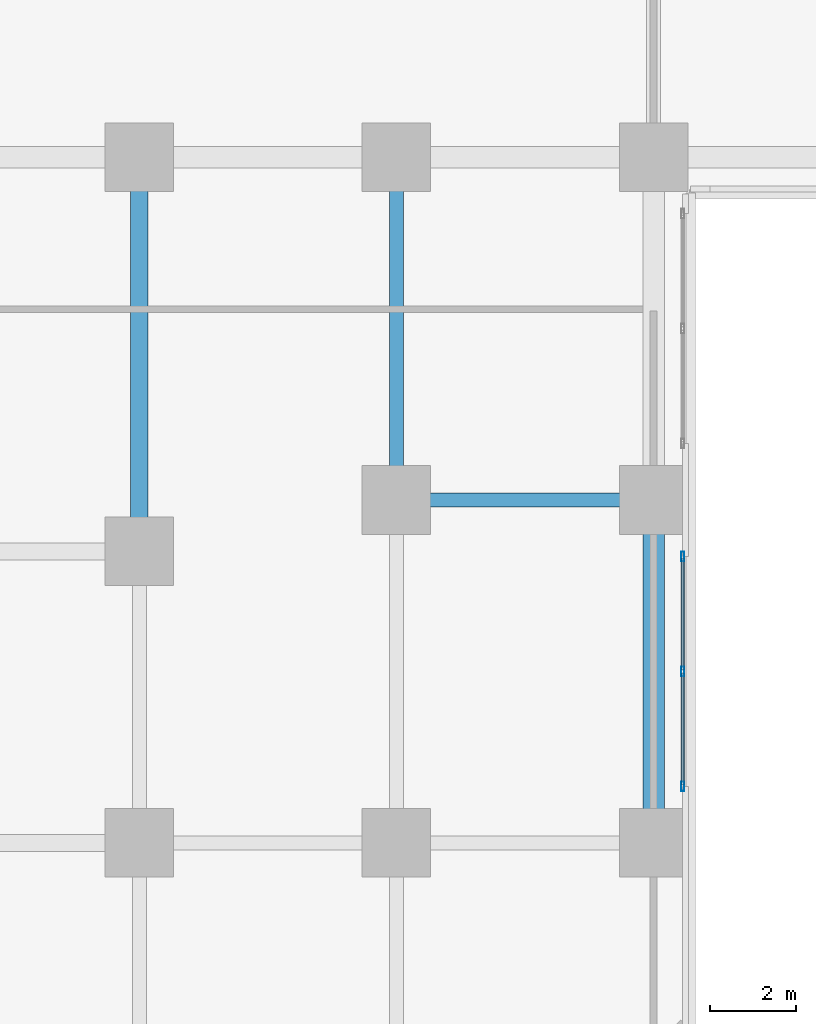
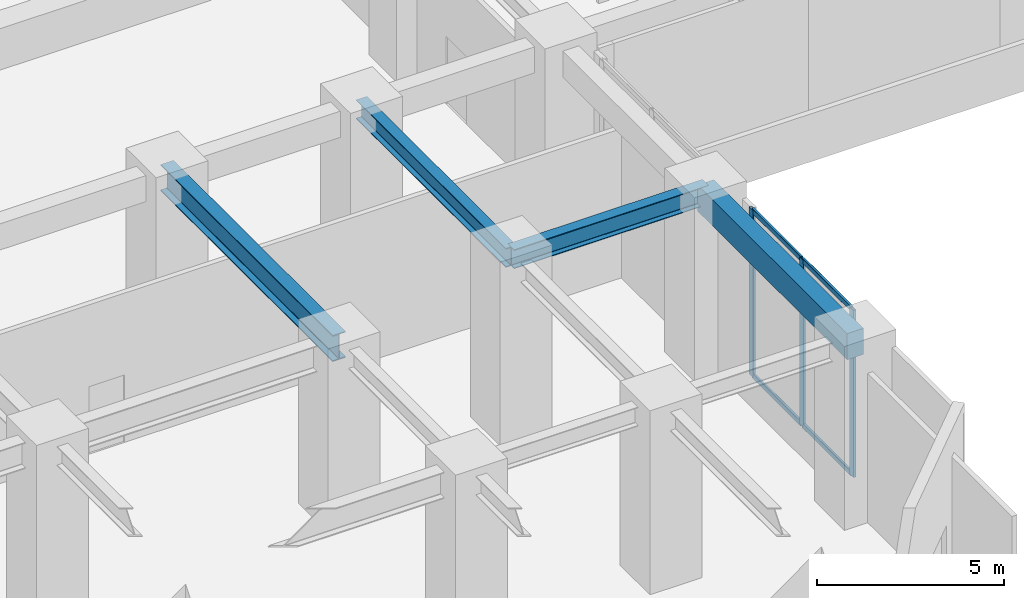
# One storey, part 11 of 34: 7 members, 4 beams, 1 element without a shape of its own.
"""IFC4 building model written with IfcOpenShell, lengths in metres."""

from ifc_helpers import new_model, si_unit, direction, frame, origin, origin_2d, place, context, subcontext, project, spatial, rectangle, hollow_rectangle, i_section, extrude, source, transform, mapped, material, material_profile, profile_set, type_object, element, aggregate, save


model = new_model("IFC4")

# Units and contexts
model_context = context("Model", 3, precision=1e-05, world=origin(), true_north=direction((0.0, 1.0)))
body_context = subcontext(model_context, "Body", "Model", "MODEL_VIEW")
ifc_project = project(units=[si_unit("LENGTHUNIT", "METRE"), si_unit("AREAUNIT", "SQUARE_METRE"), si_unit("VOLUMEUNIT", "CUBIC_METRE"), si_unit("PLANEANGLEUNIT", "RADIAN"), si_unit("MASSUNIT", "GRAM", prefix="KILO")], contexts=[model_context])

# Site, building, storey
site_placement = place(None, origin())
site = spatial("IfcSite", under=ifc_project, at=site_placement, CompositionType="ELEMENT")
building_placement = place(site_placement, origin())
building = spatial("IfcBuilding", under=site, at=building_placement, Name="Torre Montelarca", CompositionType="ELEMENT")
storey_placement = place(building_placement, frame((0.0, 0.0, 6.0)))
storey = spatial("IfcBuildingStorey", under=building, at=storey_placement, Name="L02", CompositionType="ELEMENT", Elevation=6.0)

# Beams
ifc_material_1 = material(Name="Steel ASTM A992 Grade 50", Category="steel")
ifc_material_profile_1 = material_profile(ifc_material_1, i_section(OverallWidth=0.326904296875, OverallDepth=0.6220703125, WebThickness=0.015380859375, FlangeThickness=0.0244140625, FilletRadius=0.014892578125, at=origin_2d()), Name="W610X195", Category="steel")
ifc_profile_set_1 = profile_set([ifc_material_profile_1], Name="Steel ASTM A992 Grade 50")
beam_type_1 = type_object("IfcBeamType", Name="BM-G-W610H", PredefinedType="BEAM", material=ifc_profile_set_1)
shared_shape_1 = source(origin(), body_context, "Body", "SweptSolid", [
    extrude(i_section(OverallWidth=0.326904296875, OverallDepth=0.6220703125, WebThickness=0.015380859375, FlangeThickness=0.0244140625, FilletRadius=0.014892578125, at=origin_2d()), origin(), (0.0, 0.0, 1.0), 6.0),
])
beam_1_placement = place(storey_placement, frame((42.0, 16.0, 5.428955078125), z_axis=(1.0, 0.0, 0.0), x_axis=(0.0, 1.0, 0.0)))
element("IfcBeam", 1, at=beam_1_placement, inside=storey, type_object=beam_type_1, Name="L02 Grid Girder X 42.0-48.0 at Y=16.0", PredefinedType="BEAM", context=body_context, shape_type="MappedRepresentation", body=[
    mapped(shared_shape_1, transform((0.0, 0.0, 0.0), scale=1.0)),
])
ifc_material_2 = material(Name="Concrete C55/67", Category="concrete")
ifc_material_profile_2 = material_profile(ifc_material_2, rectangle(XDim=0.5, YDim=0.85009765625, at=origin_2d()), Name="RCB500X850", Category="concrete")
ifc_profile_set_2 = profile_set([ifc_material_profile_2], Name="Concrete C55/67")
beam_type_2 = type_object("IfcBeamType", Name="BM-SP-RC850-EXT", PredefinedType="SPANDREL", material=ifc_profile_set_2)
shared_shape_2 = source(origin(), body_context, "Body", "SweptSolid", [
    extrude(rectangle(XDim=0.5, YDim=0.85009765625, at=origin_2d()), origin(), (0.0, 0.0, 1.0), 8.0),
])
beam_2_placement = place(storey_placement, frame((48.0, 8.0, 5.31494140625), z_axis=(0.0, 1.0, 0.0), x_axis=(-1.0, 0.0, 0.0)))
element("IfcBeam", 2, at=beam_2_placement, inside=storey, type_object=beam_type_2, Name="L02 Grid Girder Y 8.0-16.0 at X=48.0", PredefinedType="SPANDREL", context=body_context, shape_type="MappedRepresentation", body=[
    mapped(shared_shape_2, transform((0.0, 0.0, 0.0), scale=1.0)),
])
ifc_material_profile_3 = material_profile(ifc_material_1, i_section(OverallWidth=0.39990234375, OverallDepth=0.85498046875, WebThickness=0.018310546875, FlangeThickness=0.029296875, FilletRadius=0.02001953125, at=origin_2d()), Name="W840X299", Category="steel")
ifc_profile_set_3 = profile_set([ifc_material_profile_3], Name="Steel ASTM A992 Grade 50")
beam_type_3 = type_object("IfcBeamType", Name="BM-G-W840", PredefinedType="BEAM", material=ifc_profile_set_3)
shared_shape_3 = source(origin(), body_context, "Body", "SweptSolid", [
    extrude(i_section(OverallWidth=0.39990234375, OverallDepth=0.85498046875, WebThickness=0.018310546875, FlangeThickness=0.029296875, FilletRadius=0.02001953125, at=origin_2d()), origin(), (0.0, 0.0, 1.0), 9.199951171875),
])
beam_3_placement = place(storey_placement, frame((36.0, 14.800048828125, 5.31201171875), z_axis=(0.0, 1.0, 0.0), x_axis=(-1.0, 0.0, 0.0)))
element("IfcBeam", 3, at=beam_3_placement, inside=storey, type_object=beam_type_3, Name="L02 Grid Girder Y 14.8-24.0 at X=36.0", PredefinedType="BEAM", context=body_context, shape_type="MappedRepresentation", body=[
    mapped(shared_shape_3, transform((0.0, 0.0, 0.0), scale=1.0)),
])
shared_shape_4 = source(origin(), body_context, "Body", "SweptSolid", [
    extrude(i_section(OverallWidth=0.326904296875, OverallDepth=0.6220703125, WebThickness=0.015380859375, FlangeThickness=0.0244140625, FilletRadius=0.014892578125, at=origin_2d()), origin(), (0.0, 0.0, 1.0), 8.0),
])
beam_4_placement = place(storey_placement, frame((42.0, 16.0, 5.428955078125), z_axis=(0.0, 1.0, 0.0), x_axis=(-1.0, 0.0, 0.0)))
element("IfcBeam", 4, at=beam_4_placement, inside=storey, type_object=beam_type_1, Name="L02 Grid Girder Y 16.0-24.0 at X=42.0", PredefinedType="BEAM", context=body_context, shape_type="MappedRepresentation", body=[
    mapped(shared_shape_4, transform((0.0, 0.0, 0.0), scale=1.0)),
])

# Curtain wall, members
ifc_material_3 = material(Name="Insulated low-E laminated glass", Category="glass")
curtain_wall_type = type_object("IfcCurtainWallType", Name="CW-SYS-POD2", PredefinedType="USERDEFINED", material=ifc_material_3)
curtain_wall_placement = place(storey_placement, origin())
curtain_wall = element("IfcCurtainWall", 5, at=curtain_wall_placement, inside=storey, type_object=curtain_wall_type, Name="L02 Curtain Wall Run CW-T3-L02-E03-B1", ObjectType="UNITISED GLAZING", PredefinedType="USERDEFINED")
ifc_material_4 = material(Name="Anodised aluminium AA 6063-T6", Category="aluminium")
ifc_material_profile_4 = material_profile(ifc_material_4, hollow_rectangle(XDim=0.074951171875, YDim=0.219970703125, WallThickness=0.0048828125, InnerFilletRadius=0.0048828125, OuterFilletRadius=0.010009765625, at=origin_2d()), Name="ALU75X220X5", Category="aluminium")
ifc_profile_set_4 = profile_set([ifc_material_profile_4], Name="Anodised aluminium AA 6063-T6")
member_type_1 = type_object("IfcMemberType", Name="CWM-ALU220", PredefinedType="MULLION", material=ifc_profile_set_4)
shared_shape_5 = source(origin(), body_context, "Body", "SweptSolid", [
    extrude(hollow_rectangle(XDim=0.074951171875, YDim=0.219970703125, WallThickness=0.0048828125, InnerFilletRadius=0.0048828125, OuterFilletRadius=0.010009765625, at=origin_2d()), origin(), (0.0, 0.0, 1.0), 5.449951171875),
])
member_1_placement = place(storey_placement, frame((48.679931640625, 9.3173828125, 0.0), z_axis=(0.0, 0.0, 1.0), x_axis=(-1.0, 0.0, 0.0)))
member_1 = element("IfcMember", 6, at=member_1_placement, type_object=member_type_1, Name="CW mullion 1", PredefinedType="MULLION", context=body_context, shape_type="MappedRepresentation", body=[
    mapped(shared_shape_5, transform((0.0, 0.0, 0.0), scale=1.0)),
])
member_2_placement = place(storey_placement, frame((48.679931640625, 12.0, 0.0), z_axis=(0.0, 0.0, 1.0), x_axis=(-1.0, 0.0, 0.0)))
member_2 = element("IfcMember", 7, at=member_2_placement, type_object=member_type_1, Name="CW mullion 2", PredefinedType="MULLION", context=body_context, shape_type="MappedRepresentation", body=[
    mapped(shared_shape_5, transform((0.0, 0.0, 0.0), scale=1.0)),
])
member_3_placement = place(storey_placement, frame((48.679931640625, 14.6826171875, 0.0), z_axis=(0.0, 0.0, 1.0), x_axis=(-1.0, 0.0, 0.0)))
member_3 = element("IfcMember", 8, at=member_3_placement, type_object=member_type_1, Name="CW mullion 3", PredefinedType="MULLION", context=body_context, shape_type="MappedRepresentation", body=[
    mapped(shared_shape_5, transform((0.0, 0.0, 0.0), scale=1.0)),
])
ifc_material_profile_5 = material_profile(ifc_material_4, hollow_rectangle(XDim=0.074951171875, YDim=0.159912109375, WallThickness=0.0048828125, InnerFilletRadius=0.0048828125, OuterFilletRadius=0.010009765625, at=origin_2d()), Name="ALU75X160X5", Category="aluminium")
ifc_profile_set_5 = profile_set([ifc_material_profile_5], Name="Anodised aluminium AA 6063-T6")
member_type_2 = type_object("IfcMemberType", Name="CWT-ALU160", PredefinedType="USERDEFINED", material=ifc_profile_set_5)
shared_shape_6 = source(origin(), body_context, "Body", "SweptSolid", [
    extrude(hollow_rectangle(XDim=0.074951171875, YDim=0.159912109375, WallThickness=0.0048828125, InnerFilletRadius=0.0048828125, OuterFilletRadius=0.010009765625, at=origin_2d()), origin(), (0.0, 0.0, 1.0), 2.607421875),
])
member_4_placement = place(storey_placement, frame((48.679931640625, 9.35498046875, 0.03759765625), z_axis=(0.0, 1.0, 0.0), x_axis=(-1.0, 0.0, 0.0)))
member_4 = element("IfcMember", 9, at=member_4_placement, type_object=member_type_2, Name="CW transom 1.1", ObjectType="TRANSOM", PredefinedType="USERDEFINED", context=body_context, shape_type="MappedRepresentation", body=[
    mapped(shared_shape_6, transform((0.0, 0.0, 0.0), scale=1.0)),
])
member_5_placement = place(storey_placement, frame((48.679931640625, 9.35498046875, 5.41259765625), z_axis=(0.0, 1.0, 0.0), x_axis=(-1.0, 0.0, 0.0)))
member_5 = element("IfcMember", 10, at=member_5_placement, type_object=member_type_2, Name="CW transom 1.2", ObjectType="TRANSOM", PredefinedType="USERDEFINED", context=body_context, shape_type="MappedRepresentation", body=[
    mapped(shared_shape_6, transform((0.0, 0.0, 0.0), scale=1.0)),
])
member_6_placement = place(storey_placement, frame((48.679931640625, 12.03759765625, 0.03759765625), z_axis=(0.0, 1.0, 0.0), x_axis=(-1.0, 0.0, 0.0)))
member_6 = element("IfcMember", 11, at=member_6_placement, type_object=member_type_2, Name="CW transom 2.1", ObjectType="TRANSOM", PredefinedType="USERDEFINED", context=body_context, shape_type="MappedRepresentation", body=[
    mapped(shared_shape_6, transform((0.0, 0.0, 0.0), scale=1.0)),
])
member_7_placement = place(storey_placement, frame((48.679931640625, 12.03759765625, 5.41259765625), z_axis=(0.0, 1.0, 0.0), x_axis=(-1.0, 0.0, 0.0)))
member_7 = element("IfcMember", 12, at=member_7_placement, type_object=member_type_2, Name="CW transom 2.2", ObjectType="TRANSOM", PredefinedType="USERDEFINED", context=body_context, shape_type="MappedRepresentation", body=[
    mapped(shared_shape_6, transform((0.0, 0.0, 0.0), scale=1.0)),
])
aggregate(curtain_wall, [member_1, member_2, member_3, member_4, member_5, member_6, member_7])

save(model, "model.ifc")
